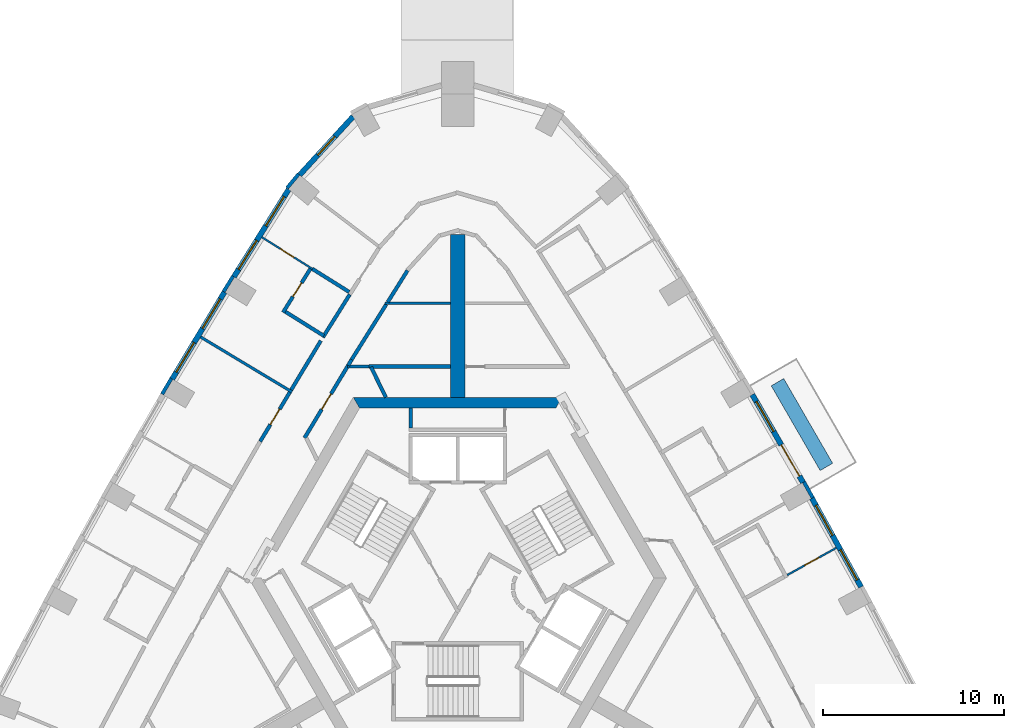
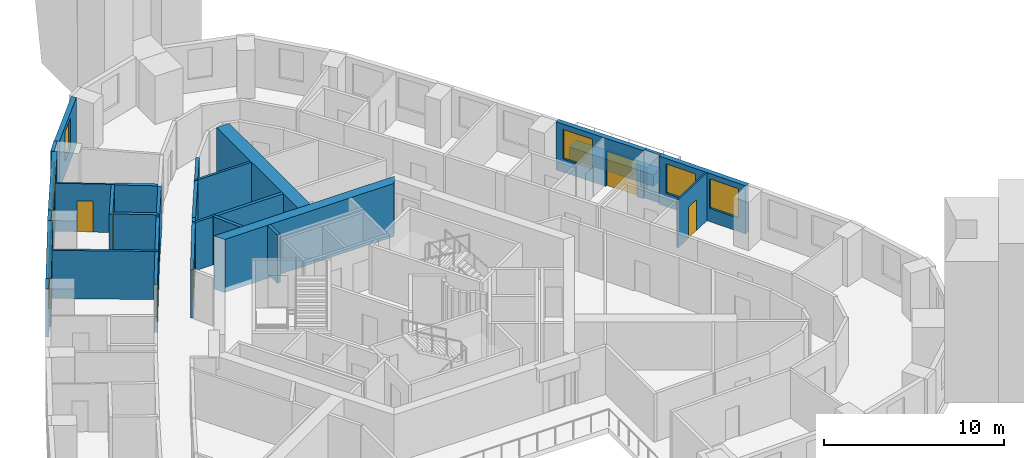
# One storey, part 8 of 13: 30 walls, 8 windows, 6 doors, 14 openings.
"""IFC4 building model written with IfcOpenShell, lengths in metres."""

from ifc_helpers import new_model, si_unit, direction, frame, frame_2d, origin, place, context, subcontext, project, spatial, polyline, rectangle, outline, extrude, material, layer, layer_set, type_object, element, fill, save


model = new_model("IFC4")

# Units and contexts
model_context = context("Model", 3, precision=1e-05, world=origin(), true_north=direction((0.0, 1.0)))
body_context = subcontext(model_context, "Body", "Model", "MODEL_VIEW")
ifc_project = project(units=[si_unit("LENGTHUNIT", "METRE"), si_unit("AREAUNIT", "SQUARE_METRE"), si_unit("VOLUMEUNIT", "CUBIC_METRE"), si_unit("PLANEANGLEUNIT", "RADIAN"), si_unit("MASSUNIT", "GRAM", prefix="KILO")], contexts=[model_context])

# Site, building, storey
site_placement = place(None, origin())
site = spatial("IfcSite", under=ifc_project, at=site_placement, CompositionType="ELEMENT")
building_placement = place(site_placement, origin())
building = spatial("IfcBuilding", under=site, at=building_placement, Name="Entoto Arch Interchange Tower", CompositionType="ELEMENT")
storey_placement = place(building_placement, frame((0.0, 0.0, 263.0)))
storey = spatial("IfcBuildingStorey", under=building, at=storey_placement, Name="L60", CompositionType="ELEMENT", Elevation=263.0)

# Walls
ifc_material_1 = material(Name="Concrete C40/50", Category="concrete")
ifc_layer_1 = layer(ifc_material_1, 0.800048828125)
ifc_layer_set_1 = layer_set([ifc_layer_1], Name="Concrete C40/50")
wall_type_1 = type_object("IfcWallType", Name="Buttress wall 800 C40/50", PredefinedType="SHEAR", material=ifc_layer_set_1)
wall_1_placement = place(storey_placement, frame((0.0, 12.5, -0.340087890625), z_axis=(0.0, 0.0, 1.0), x_axis=(0.0, 1.0, 0.0)))
element("IfcWall", 1, at=wall_1_placement, inside=storey, type_object=wall_type_1, Name="Buttress wall N L60", PredefinedType="SHEAR", context=body_context, shape_type="SweptSolid", body=[
    extrude(rectangle(XDim=9.0, YDim=0.800048828125, at=frame_2d((4.5, 0.0))), origin(), (0.0, 0.0, 1.0), 3.60009765625),
])
ifc_layer_2 = layer(ifc_material_1, 0.60009765625)
ifc_layer_set_2 = layer_set([ifc_layer_2], Name="Concrete C40/50")
wall_type_2 = type_object("IfcWallType", Name="Core wall 600 C40/50", PredefinedType="SHEAR", material=ifc_layer_set_2)
wall_2_placement = place(storey_placement, frame((0.0, 0.0, -0.340087890625)))
element("IfcWall", 2, at=wall_2_placement, inside=storey, type_object=wall_type_2, Name="Core wall N L60", PredefinedType="SHEAR", context=body_context, shape_type="SweptSolid", body=[
    extrude(outline(polyline([(5.77392578125, 12.5), (-5.77392578125, 12.5), (-5.427001953125, 11.89990234375), (5.427001953125, 11.89990234375), (5.77392578125, 12.5)])), origin(), (0.0, 0.0, 1.0), 3.60009765625),
])

# Wall, opening, door
ifc_material_2 = material(Name="Gypsum board partition on steel studs", Category="steel")
ifc_layer_3 = layer(ifc_material_2, 0.10009765625)
ifc_layer_set_3 = layer_set([ifc_layer_3], Name="Gypsum board partition on steel studs")
wall_type_3 = type_object("IfcWallType", Name="PARTITION 100", PredefinedType="PARTITIONING", material=ifc_layer_set_3)
wall_3_placement = place(storey_placement, frame((18.22802734375, 2.6708984375, 0.0), z_axis=(0.0, 0.0, 1.0), x_axis=(0.874895591854, 0.484311576729, 0.0)))
wall_3 = element("IfcWall", 3, at=wall_3_placement, inside=storey, type_object=wall_type_3, Name="wall:L60:p113", PredefinedType="PARTITIONING", context=body_context, shape_type="SweptSolid", body=[
    extrude(rectangle(XDim=3.099609375, YDim=0.10009765625, at=frame_2d((1.5498046875, 0.0))), origin(), (0.0, 0.0, 1.0), 3.260009765625),
])
opening_1_placement = place(wall_3_placement, frame((1.10009765625, 0.0, 0.0)))
opening_1 = element("IfcOpeningElement", 4, at=opening_1_placement, cuts=wall_3, Name="Opening L60-D02", PredefinedType="OPENING", context=body_context, shape_type="SweptSolid", body=[
    extrude(rectangle(XDim=0.89990234375, YDim=2.10009765625, at=frame_2d((0.449951171875, 1.050048828125))), frame((0.0, 0.06005859375, 0.0), z_axis=(0.0, -1.0, 0.0), x_axis=(1.0, 0.0, 0.0)), (0.0, 0.0, 1.0), 0.1201171875),
])
ifc_material_3 = material(Name="Timber door leaf in Steel S235 frame", Category="steel")
door_type_1 = type_object("IfcDoorType", Name="DOOR DS-09 900x2100", OperationType="SINGLE_SWING_LEFT", PredefinedType="DOOR", material=ifc_material_3)
door_1_placement = place(opening_1_placement, origin())
door_1 = element("IfcDoor", 5, at=door_1_placement, inside=storey, type_object=door_type_1, Name="door:L60:02", OperationType="SINGLE_SWING_RIGHT", OverallHeight=2.10009765625, OverallWidth=0.89990234375, PredefinedType="DOOR", context=body_context, shape_type="SweptSolid", body=[
    extrude(rectangle(XDim=0.89990234375, YDim=2.10009765625, at=frame_2d((0.449951171875, 1.050048828125))), frame((0.0, 0.02490234375, 0.0), z_axis=(0.0, -1.0, 0.0), x_axis=(1.0, 0.0, 0.0)), (0.0, 0.0, 1.0), 0.050048828125),
])
fill(opening_1, door_1)

wall_4_placement = place(storey_placement, frame((-8.029052734375, 19.597900390625, 0.0), z_axis=(0.0, 0.0, 1.0), x_axis=(-0.847216023371, 0.531248538581, 0.0)))
wall_4 = element("IfcWall", 6, at=wall_4_placement, inside=storey, type_object=wall_type_3, Name="wall:L60:p129", PredefinedType="PARTITIONING", context=body_context, shape_type="SweptSolid", body=[
    extrude(rectangle(XDim=3.300048828125, YDim=0.10009765625, at=frame_2d((1.64990234375, 0.0))), origin(), (0.0, 0.0, 1.0), 3.260009765625),
])
opening_2_placement = place(wall_4_placement, frame((1.199951171875, 0.0, 0.0)))
opening_2 = element("IfcOpeningElement", 7, at=opening_2_placement, cuts=wall_4, Name="Opening L60-D11", PredefinedType="OPENING", context=body_context, shape_type="SweptSolid", body=[
    extrude(rectangle(XDim=0.89990234375, YDim=2.10009765625, at=frame_2d((0.449951171875, 1.050048828125))), frame((0.0, 0.06005859375, 0.0), z_axis=(0.0, -1.0, 0.0), x_axis=(1.0, 0.0, 0.0)), (0.0, 0.0, 1.0), 0.1201171875),
])
door_2_placement = place(opening_2_placement, origin())
door_2 = element("IfcDoor", 8, at=door_2_placement, inside=storey, type_object=door_type_1, Name="door:L60:11", OperationType="SINGLE_SWING_RIGHT", OverallHeight=2.10009765625, OverallWidth=0.89990234375, PredefinedType="DOOR", context=body_context, shape_type="SweptSolid", body=[
    extrude(rectangle(XDim=0.89990234375, YDim=2.10009765625, at=frame_2d((0.449951171875, 1.050048828125))), frame((0.0, 0.02490234375, 0.0), z_axis=(0.0, -1.0, 0.0), x_axis=(1.0, 0.0, 0.0)), (0.0, 0.0, 1.0), 0.050048828125),
])
fill(opening_2, door_2)

# Walls
ifc_layer_4 = layer(ifc_material_2, 0.14990234375)
ifc_layer_set_4 = layer_set([ifc_layer_4], Name="Gypsum board partition on steel studs")
wall_type_4 = type_object("IfcWallType", Name="PARTITION 150", PredefinedType="PARTITIONING", material=ifc_layer_set_4)
wall_5_placement = place(storey_placement, frame((-4.904052734375, 14.199951171875, 0.0), z_axis=(0.0, 0.0, 1.0), x_axis=(-1.0, 0.0, 0.0)))
element("IfcWall", 9, at=wall_5_placement, inside=storey, type_object=wall_type_4, Name="wall:L60:p083", PredefinedType="PARTITIONING", context=body_context, shape_type="SweptSolid", body=[
    extrude(rectangle(XDim=1.18896484375, YDim=0.14990234375, at=frame_2d((0.594482421875, 0.0))), origin(), (0.0, 0.0, 1.0), 3.260009765625),
])
wall_6_placement = place(storey_placement, frame((-4.008056640625, 17.699951171875, 0.0), z_axis=(0.0, 0.0, 1.0), x_axis=(1.0, 0.0, 0.0)))
element("IfcWall", 10, at=wall_6_placement, inside=storey, type_object=wall_type_4, Name="wall:L60:p104", PredefinedType="PARTITIONING", context=body_context, shape_type="SweptSolid", body=[
    extrude(rectangle(XDim=3.608154296875, YDim=0.14990234375, at=frame_2d((1.80419921875, 0.0))), origin(), (0.0, 0.0, 1.0), 3.260009765625),
])
wall_7_placement = place(storey_placement, frame((-9.156982421875, 12.7919921875, 0.0), z_axis=(0.0, 0.0, 1.0), x_axis=(-0.856933793276, 0.515426497129, 0.0)))
element("IfcWall", 11, at=wall_7_placement, inside=storey, type_object=wall_type_4, Name="wall:L60:p133", PredefinedType="PARTITIONING", context=body_context, shape_type="SweptSolid", body=[
    extrude(rectangle(XDim=5.89990234375, YDim=0.14990234375, at=frame_2d((2.949951171875, 0.0))), origin(), (0.0, 0.0, 1.0), 3.260009765625),
])
ifc_layer_5 = layer(ifc_material_2, 0.199951171875)
ifc_layer_set_5 = layer_set([ifc_layer_5], Name="Gypsum board partition on steel studs")
wall_type_5 = type_object("IfcWallType", Name="PARTITION 200", PredefinedType="PARTITIONING", material=ifc_layer_set_5)
wall_8_placement = place(storey_placement, frame((-3.969970703125, 12.5, 0.0), z_axis=(0.0, 0.0, 1.0), x_axis=(-0.440355460167, 0.89782351757, 0.0)))
element("IfcWall", 12, at=wall_8_placement, inside=storey, type_object=wall_type_5, Name="wall:L60:p003", PredefinedType="PARTITIONING", context=body_context, shape_type="SweptSolid", body=[
    extrude(rectangle(XDim=1.868896484375, YDim=0.199951171875, at=frame_2d((0.9345703125, 0.0))), origin(), (0.0, 0.0, 1.0), 3.260009765625),
])

# Wall, opening, door
wall_9_placement = place(storey_placement, frame((-6.053955078125, 14.263916015625, 0.0), z_axis=(0.0, 0.0, 1.0), x_axis=(-0.515508653897, -0.856884372455, 0.0)))
wall_9 = element("IfcWall", 13, at=wall_9_placement, inside=storey, type_object=wall_type_5, Name="wall:L60:p004", PredefinedType="PARTITIONING", context=body_context, shape_type="SweptSolid", body=[
    extrude(rectangle(XDim=4.67724609375, YDim=0.199951171875, at=frame_2d((2.338623046875, 0.0))), origin(), (0.0, 0.0, 1.0), 3.260009765625),
])
opening_3_placement = place(wall_9_placement, frame((1.839111328125, 0.0, 0.0)))
opening_3 = element("IfcOpeningElement", 14, at=opening_3_placement, cuts=wall_9, Name="Opening L60-D33", PredefinedType="OPENING", context=body_context, shape_type="SweptSolid", body=[
    extrude(rectangle(XDim=1.0, YDim=2.10009765625, at=frame_2d((0.5, 1.050048828125))), frame((0.0, 0.10986328125, 0.0), z_axis=(0.0, -1.0, 0.0), x_axis=(1.0, 0.0, 0.0)), (0.0, 0.0, 1.0), 0.219970703125),
])
door_type_2 = type_object("IfcDoorType", Name="DOOR DS-10 1000x2100", OperationType="SINGLE_SWING_LEFT", PredefinedType="DOOR", material=ifc_material_3)
door_3_placement = place(opening_3_placement, origin())
door_3 = element("IfcDoor", 15, at=door_3_placement, inside=storey, type_object=door_type_2, Name="door:L60:33", OperationType="SINGLE_SWING_LEFT", OverallHeight=2.10009765625, OverallWidth=1.0, PredefinedType="DOOR", context=body_context, shape_type="SweptSolid", body=[
    extrude(rectangle(XDim=1.0, YDim=2.10009765625, at=frame_2d((0.5, 1.050048828125))), frame((0.0, 0.02490234375, 0.0), z_axis=(0.0, -1.0, 0.0), x_axis=(1.0, 0.0, 0.0)), (0.0, 0.0, 1.0), 0.050048828125),
])
fill(opening_3, door_3)

# Walls
wall_10_placement = place(storey_placement, frame((-4.904052734375, 14.199951171875, 0.0), z_axis=(0.0, 0.0, 1.0), x_axis=(1.0, 0.0, 0.0)))
element("IfcWall", 16, at=wall_10_placement, inside=storey, type_object=wall_type_5, Name="wall:L60:p009", PredefinedType="PARTITIONING", context=body_context, shape_type="SweptSolid", body=[
    extrude(rectangle(XDim=4.504150390625, YDim=0.199951171875, at=frame_2d((2.251953125, 0.0))), origin(), (0.0, 0.0, 1.0), 3.260009765625),
])
wall_11_placement = place(storey_placement, frame((-3.947998046875, 17.635986328125, 0.0), z_axis=(0.0, 0.0, 1.0), x_axis=(-0.531380509042, -0.847133256702, 0.0)))
element("IfcWall", 17, at=wall_11_placement, inside=storey, type_object=wall_type_5, Name="wall:L60:p012", PredefinedType="PARTITIONING", context=body_context, shape_type="SweptSolid", body=[
    extrude(rectangle(XDim=3.60400390625, YDim=0.199951171875, at=frame_2d((1.802001953125, 0.0))), origin(), (0.0, 0.0, 1.0), 3.260009765625),
])
wall_12_placement = place(storey_placement, frame((-5.863037109375, 14.5830078125, 0.0), z_axis=(0.0, 0.0, 1.0), x_axis=(-0.513433271491, -0.858129521533, 0.0)))
element("IfcWall", 18, at=wall_12_placement, inside=storey, type_object=wall_type_5, Name="wall:L60:p013", PredefinedType="PARTITIONING", context=body_context, shape_type="SweptSolid", body=[
    extrude(rectangle(XDim=0.371826171875, YDim=0.199951171875, at=frame_2d((0.18603515625, 0.0))), origin(), (0.0, 0.0, 1.0), 3.260009765625),
])
wall_13_placement = place(storey_placement, frame((-2.77294921875, 19.510986328125, 0.0), z_axis=(0.0, 0.0, 1.0), x_axis=(-0.531062870102, -0.847332418829, 0.0)))
element("IfcWall", 19, at=wall_13_placement, inside=storey, type_object=wall_type_5, Name="wall:L60:p019", PredefinedType="PARTITIONING", context=body_context, shape_type="SweptSolid", body=[
    extrude(rectangle(XDim=2.061767578125, YDim=0.199951171875, at=frame_2d((1.03076171875, 0.0))), origin(), (0.0, 0.0, 1.0), 3.260009765625),
])
wall_14_placement = place(storey_placement, frame((-9.2041015625, 12.907958984375, 0.0), z_axis=(0.0, 0.0, 1.0), x_axis=(0.51556943596, 0.856847802532, 0.0)))
element("IfcWall", 20, at=wall_14_placement, inside=storey, type_object=wall_type_5, Name="wall:L60:p058", PredefinedType="PARTITIONING", context=body_context, shape_type="SweptSolid", body=[
    extrude(rectangle(XDim=3.175537109375, YDim=0.199951171875, at=frame_2d((1.587890625, 0.0))), origin(), (0.0, 0.0, 1.0), 3.260009765625),
])
wall_15_placement = place(storey_placement, frame((-7.451904296875, 15.81298828125, 0.0), z_axis=(0.0, 0.0, 1.0), x_axis=(0.531095943551, 0.847311689252, 0.0)))
element("IfcWall", 21, at=wall_15_placement, inside=storey, type_object=wall_type_5, Name="wall:L60:p059", PredefinedType="PARTITIONING", context=body_context, shape_type="SweptSolid", body=[
    extrude(rectangle(XDim=2.799560546875, YDim=0.199951171875, at=frame_2d((1.39990234375, 0.0))), origin(), (0.0, 0.0, 1.0), 3.260009765625),
])

# Wall, opening, door
wall_16_placement = place(storey_placement, frame((-10.9189453125, 10.056884765625, 0.0), z_axis=(0.0, 0.0, 1.0), x_axis=(0.515568955032, 0.856848091908, 0.0)))
wall_16 = element("IfcWall", 22, at=wall_16_placement, inside=storey, type_object=wall_type_5, Name="wall:L60:p061", PredefinedType="PARTITIONING", context=body_context, shape_type="SweptSolid", body=[
    extrude(rectangle(XDim=3.177001953125, YDim=0.199951171875, at=frame_2d((1.58837890625, 0.0))), origin(), (0.0, 0.0, 1.0), 3.260009765625),
])
opening_4_placement = place(wall_16_placement, frame((1.087890625, 0.0, 0.0)))
opening_4 = element("IfcOpeningElement", 23, at=opening_4_placement, cuts=wall_16, Name="Opening L60-D13", PredefinedType="OPENING", context=body_context, shape_type="SweptSolid", body=[
    extrude(rectangle(XDim=1.0, YDim=2.10009765625, at=frame_2d((0.5, 1.050048828125))), frame((0.0, 0.10986328125, 0.0), z_axis=(0.0, -1.0, 0.0), x_axis=(1.0, 0.0, 0.0)), (0.0, 0.0, 1.0), 0.219970703125),
])
ifc_material_4 = material(Name="Fire-rated Steel S235 door and frame", Category="steel")
door_type_3 = type_object("IfcDoorType", Name="DOOR FD-10 1000x2100", OperationType="SINGLE_SWING_LEFT", PredefinedType="DOOR", material=ifc_material_4)
door_4_placement = place(opening_4_placement, origin())
door_4 = element("IfcDoor", 24, at=door_4_placement, inside=storey, type_object=door_type_3, Name="door:L60:13", OperationType="SINGLE_SWING_LEFT", OverallHeight=2.10009765625, OverallWidth=1.0, PredefinedType="DOOR", context=body_context, shape_type="SweptSolid", body=[
    extrude(rectangle(XDim=1.0, YDim=2.10009765625, at=frame_2d((0.5, 1.050048828125))), frame((0.0, 0.02490234375, 0.0), z_axis=(0.0, -1.0, 0.0), x_axis=(1.0, 0.0, 0.0)), (0.0, 0.0, 1.0), 0.050048828125),
])
fill(opening_4, door_4)

# Walls
wall_17_placement = place(storey_placement, frame((-2.60009765625, 10.800048828125, 0.0), z_axis=(0.0, 0.0, 1.0), x_axis=(0.0, 1.0, 0.0)))
element("IfcWall", 25, at=wall_17_placement, inside=storey, type_object=wall_type_5, Name="wall:L60:p072", PredefinedType="PARTITIONING", context=body_context, shape_type="SweptSolid", body=[
    extrude(rectangle(XDim=1.099853515625, YDim=0.199951171875, at=frame_2d((0.5498046875, 0.0))), origin(), (0.0, 0.0, 1.0), 3.260009765625),
])
wall_18_placement = place(storey_placement, frame((-5.99609375, 18.322998046875, 0.0), z_axis=(0.0, 0.0, 1.0), x_axis=(-0.847191403331, 0.531287799711, 0.0)))
element("IfcWall", 26, at=wall_18_placement, inside=storey, type_object=wall_type_5, Name="wall:L60:p130", PredefinedType="PARTITIONING", context=body_context, shape_type="SweptSolid", body=[
    extrude(rectangle(XDim=2.399658203125, YDim=0.199951171875, at=frame_2d((1.19970703125, 0.0))), origin(), (0.0, 0.0, 1.0), 3.260009765625),
])

# Wall, opening, door
wall_19_placement = place(storey_placement, frame((-8.087890625, 19.693115234375, 0.0), z_axis=(0.0, 0.0, 1.0), x_axis=(-0.531277961984, -0.847197572654, 0.0)))
wall_19 = element("IfcWall", 27, at=wall_19_placement, inside=storey, type_object=wall_type_5, Name="wall:L60:p131", PredefinedType="PARTITIONING", context=body_context, shape_type="SweptSolid", body=[
    extrude(rectangle(XDim=2.94970703125, YDim=0.199951171875, at=frame_2d((1.474853515625, 0.0))), origin(), (0.0, 0.0, 1.0), 3.260009765625),
])
opening_5_placement = place(wall_19_placement, frame((1.02490234375, 0.0, 0.0)))
opening_5 = element("IfcOpeningElement", 28, at=opening_5_placement, cuts=wall_19, Name="Opening L60-D12", PredefinedType="OPENING", context=body_context, shape_type="SweptSolid", body=[
    extrude(rectangle(XDim=0.89990234375, YDim=2.10009765625, at=frame_2d((0.449951171875, 1.050048828125))), frame((0.0, 0.10986328125, 0.0), z_axis=(0.0, -1.0, 0.0), x_axis=(1.0, 0.0, 0.0)), (0.0, 0.0, 1.0), 0.219970703125),
])
door_5_placement = place(opening_5_placement, origin())
door_5 = element("IfcDoor", 29, at=door_5_placement, inside=storey, type_object=door_type_1, Name="door:L60:12", OperationType="SINGLE_SWING_LEFT", OverallHeight=2.10009765625, OverallWidth=0.89990234375, PredefinedType="DOOR", context=body_context, shape_type="SweptSolid", body=[
    extrude(rectangle(XDim=0.89990234375, YDim=2.10009765625, at=frame_2d((0.449951171875, 1.050048828125))), frame((0.0, 0.02490234375, 0.0), z_axis=(0.0, -1.0, 0.0), x_axis=(1.0, 0.0, 0.0)), (0.0, 0.0, 1.0), 0.050048828125),
])
fill(opening_5, door_5)

# Walls
wall_20_placement = place(storey_placement, frame((-9.51708984375, 17.22607421875, 0.0), z_axis=(0.0, 0.0, 1.0), x_axis=(0.847229363594, -0.53122726348, 0.0)))
element("IfcWall", 30, at=wall_20_placement, inside=storey, type_object=wall_type_5, Name="wall:L60:p132", PredefinedType="PARTITIONING", context=body_context, shape_type="SweptSolid", body=[
    extrude(rectangle(XDim=2.5, YDim=0.199951171875, at=frame_2d((1.25, 0.0))), origin(), (0.0, 0.0, 1.0), 3.260009765625),
])
ifc_material_5 = material(Name="Board-marked precast concrete C50/60", Category="concrete")
ifc_layer_6 = layer(ifc_material_5, 0.800048828125)
ifc_layer_set_6 = layer_set([ifc_layer_6], Name="Board-marked precast concrete C50/60")
wall_type_6 = type_object("IfcWallType", Name="PLANTER RC 800 Juniperus procera", PredefinedType="STANDARD", material=ifc_layer_set_6)
wall_21_placement = place(storey_placement, frame((20.39208984375, 8.64892578125, 0.0), z_axis=(0.0, 0.0, 1.0), x_axis=(-0.500079142514, 0.865979706011, 0.0)))
element("IfcWall", 31, at=wall_21_placement, inside=storey, type_object=wall_type_6, Name="Planter NE-03 L60", PredefinedType="STANDARD", context=body_context, shape_type="SweptSolid", body=[
    extrude(rectangle(XDim=5.4111328125, YDim=0.800048828125, at=frame_2d((2.70556640625, 0.0))), origin(), (0.0, 0.0, 1.0), 0.800048828125),
])

# Wall, openings, windows
ifc_material_6 = material(Name="Welded tuff (ignimbrite) cladding, warm buff", Category="masonry")
ifc_layer_7 = layer(ifc_material_6, 0.300048828125)
ifc_layer_set_7 = layer_set([ifc_layer_7], Name="Welded tuff (ignimbrite) cladding, warm buff")
wall_type_7 = type_object("IfcWallType", Name="STONE INFILL WALL 300", PredefinedType="STANDARD", material=ifc_layer_set_7)
wall_22_placement = place(storey_placement, frame((22.30810546875, 2.010009765625, 0.0), z_axis=(0.0, 0.0, 1.0), x_axis=(-0.484260568952, 0.874923826032, 0.0)))
wall_22 = element("IfcWall", 32, at=wall_22_placement, inside=storey, type_object=wall_type_7, Name="Facade wall NE-02 L60", PredefinedType="STANDARD", context=body_context, shape_type="SweptSolid", body=[
    extrude(rectangle(XDim=5.610595703125, YDim=0.300048828125, at=frame_2d((2.80517578125, 0.0))), origin(), (0.0, 0.0, 1.0), 3.260009765625),
])
opening_6_placement = place(wall_22_placement, frame((0.452880859375, 0.0, 0.89990234375)))
opening_6 = element("IfcOpeningElement", 33, at=opening_6_placement, cuts=wall_22, Name="Opening WH-C", PredefinedType="OPENING", context=body_context, shape_type="SweptSolid", body=[
    extrude(rectangle(XDim=1.89990234375, YDim=2.0, at=frame_2d((0.949951171875, 1.0))), frame((0.0, 0.16015625, 0.0), z_axis=(0.0, -1.0, 0.0), x_axis=(1.0, 0.0, 0.0)), (0.0, 0.0, 1.0), 0.320068359375),
])
opening_7_placement = place(wall_22_placement, frame((3.258056640625, 0.0, 0.89990234375)))
opening_7 = element("IfcOpeningElement", 34, at=opening_7_placement, cuts=wall_22, Name="Opening WH-C", PredefinedType="OPENING", context=body_context, shape_type="SweptSolid", body=[
    extrude(rectangle(XDim=1.89990234375, YDim=2.0, at=frame_2d((0.949951171875, 1.0))), frame((0.0, 0.16015625, 0.0), z_axis=(0.0, -1.0, 0.0), x_axis=(1.0, 0.0, 0.0)), (0.0, 0.0, 1.0), 0.320068359375),
])
ifc_material_7 = material(Name="Clear glass, low-e double glazed", Category="glass")
window_type_1 = type_object("IfcWindowType", Name="WINDOW WH-C 1900x2000", PartitioningType="DOUBLE_PANEL_VERTICAL", PredefinedType="WINDOW", material=ifc_material_7)
window_1_placement = place(opening_6_placement, origin())
window_1 = element("IfcWindow", 35, at=window_1_placement, inside=storey, type_object=window_type_1, Name="Window WH-C NE-02 L60", OverallHeight=2.0, OverallWidth=1.89990234375, PartitioningType="SINGLE_PANEL", PredefinedType="WINDOW", context=body_context, shape_type="SweptSolid", body=[
    extrude(rectangle(XDim=1.89990234375, YDim=2.0, at=frame_2d((0.949951171875, 1.0))), frame((0.0, 0.030029296875, 0.0), z_axis=(0.0, -1.0, 0.0), x_axis=(1.0, 0.0, 0.0)), (0.0, 0.0, 1.0), 0.06005859375),
])
fill(opening_6, window_1)
window_2_placement = place(opening_7_placement, origin())
window_2 = element("IfcWindow", 36, at=window_2_placement, inside=storey, type_object=window_type_1, Name="Window WH-C NE-02 L60", OverallHeight=2.0, OverallWidth=1.89990234375, PartitioningType="SINGLE_PANEL", PredefinedType="WINDOW", context=body_context, shape_type="SweptSolid", body=[
    extrude(rectangle(XDim=1.89990234375, YDim=2.0, at=frame_2d((0.949951171875, 1.0))), frame((0.0, 0.030029296875, 0.0), z_axis=(0.0, -1.0, 0.0), x_axis=(1.0, 0.0, 0.0)), (0.0, 0.0, 1.0), 0.06005859375),
])
fill(opening_7, window_2)

# Wall, openings, door, window
wall_23_placement = place(storey_placement, frame((19.10009765625, 7.787109375, 0.0), z_axis=(0.0, 0.0, 1.0), x_axis=(-0.500041292042, 0.866001562501, 0.0)))
wall_23 = element("IfcWall", 37, at=wall_23_placement, inside=storey, type_object=wall_type_7, Name="Facade wall NE-03 L60", PredefinedType="STANDARD", context=body_context, shape_type="SweptSolid", body=[
    extrude(rectangle(XDim=5.61181640625, YDim=0.300048828125, at=frame_2d((2.805908203125, 0.0))), origin(), (0.0, 0.0, 1.0), 3.260009765625),
])
opening_8_placement = place(wall_23_placement, frame((0.403076171875, 0.0, 0.0)))
opening_8 = element("IfcOpeningElement", 38, at=opening_8_placement, cuts=wall_23, Name="Opening DB-NE-03-L60", PredefinedType="OPENING", context=body_context, shape_type="SweptSolid", body=[
    extrude(rectangle(XDim=2.0, YDim=2.39990234375, at=frame_2d((1.0, 1.199951171875))), frame((0.0, 0.16015625, 0.0), z_axis=(0.0, -1.0, 0.0), x_axis=(1.0, 0.0, 0.0)), (0.0, 0.0, 1.0), 0.320068359375),
])
opening_9_placement = place(wall_23_placement, frame((3.259033203125, 0.0, 0.89990234375)))
opening_9 = element("IfcOpeningElement", 39, at=opening_9_placement, cuts=wall_23, Name="Opening WH-C", PredefinedType="OPENING", context=body_context, shape_type="SweptSolid", body=[
    extrude(rectangle(XDim=1.89990234375, YDim=2.0, at=frame_2d((0.949951171875, 1.0))), frame((0.0, 0.16015625, 0.0), z_axis=(0.0, -1.0, 0.0), x_axis=(1.0, 0.0, 0.0)), (0.0, 0.0, 1.0), 0.320068359375),
])
ifc_material_8 = material(Name="Aluminium and clear glass, anodised", Category="aluminium")
door_type_4 = type_object("IfcDoorType", Name="BALCONY DOOR DB 2000x2400", OperationType="SLIDING_TO_LEFT", PredefinedType="DOOR", material=ifc_material_8)
door_6_placement = place(opening_8_placement, origin())
door_6 = element("IfcDoor", 40, at=door_6_placement, inside=storey, type_object=door_type_4, Name="Balcony door NE-03 L60", OperationType="SLIDING_TO_LEFT", OverallHeight=2.39990234375, OverallWidth=2.0, PredefinedType="DOOR", context=body_context, shape_type="SweptSolid", body=[
    extrude(rectangle(XDim=2.0, YDim=2.39990234375, at=frame_2d((1.0, 1.199951171875))), frame((0.0, 0.02490234375, 0.0), z_axis=(0.0, -1.0, 0.0), x_axis=(1.0, 0.0, 0.0)), (0.0, 0.0, 1.0), 0.050048828125),
])
fill(opening_8, door_6)
window_3_placement = place(opening_9_placement, origin())
window_3 = element("IfcWindow", 41, at=window_3_placement, inside=storey, type_object=window_type_1, Name="Window WH-C NE-03 L60", OverallHeight=2.0, OverallWidth=1.89990234375, PartitioningType="SINGLE_PANEL", PredefinedType="WINDOW", context=body_context, shape_type="SweptSolid", body=[
    extrude(rectangle(XDim=1.89990234375, YDim=2.0, at=frame_2d((0.949951171875, 1.0))), frame((0.0, 0.030029296875, 0.0), z_axis=(0.0, -1.0, 0.0), x_axis=(1.0, 0.0, 0.0)), (0.0, 0.0, 1.0), 0.06005859375),
])
fill(opening_9, window_3)

# Wall, opening, window
wall_24_placement = place(storey_placement, frame((-5.781982421875, 28.02490234375, 0.0), z_axis=(0.0, 0.0, 1.0), x_axis=(-0.675143863554, -0.737686087374, 0.0)))
wall_24 = element("IfcWall", 42, at=wall_24_placement, inside=storey, type_object=wall_type_7, Name="Facade wall N-04 L60", PredefinedType="STANDARD", context=body_context, shape_type="SweptSolid", body=[
    extrude(rectangle(XDim=4.3798828125, YDim=0.300048828125, at=frame_2d((2.18994140625, 0.0))), origin(), (0.0, 0.0, 1.0), 3.260009765625),
])
opening_10_placement = place(wall_24_placement, frame((1.489990234375, 0.0, 0.89990234375)))
opening_10 = element("IfcOpeningElement", 43, at=opening_10_placement, cuts=wall_24, Name="Opening WH-B", PredefinedType="OPENING", context=body_context, shape_type="SweptSolid", body=[
    extrude(rectangle(XDim=1.39990234375, YDim=2.0, at=frame_2d((0.699951171875, 1.0))), frame((0.0, 0.16015625, 0.0), z_axis=(0.0, -1.0, 0.0), x_axis=(1.0, 0.0, 0.0)), (0.0, 0.0, 1.0), 0.320068359375),
])
window_type_2 = type_object("IfcWindowType", Name="WINDOW WH-B 1400x2000", PartitioningType="DOUBLE_PANEL_VERTICAL", PredefinedType="WINDOW", material=ifc_material_7)
window_4_placement = place(opening_10_placement, origin())
window_4 = element("IfcWindow", 44, at=window_4_placement, inside=storey, type_object=window_type_2, Name="Window WH-B N-04 L60", OverallHeight=2.0, OverallWidth=1.39990234375, PartitioningType="SINGLE_PANEL", PredefinedType="WINDOW", context=body_context, shape_type="SweptSolid", body=[
    extrude(rectangle(XDim=1.39990234375, YDim=2.0, at=frame_2d((0.699951171875, 1.0))), frame((0.0, 0.030029296875, 0.0), z_axis=(0.0, -1.0, 0.0), x_axis=(1.0, 0.0, 0.0)), (0.0, 0.0, 1.0), 0.06005859375),
])
fill(opening_10, window_4)

# Wall, openings, windows
wall_25_placement = place(storey_placement, frame((-9.343017578125, 23.998046875, 0.0), z_axis=(0.0, 0.0, 1.0), x_axis=(-0.531137483242, -0.847285650708, 0.0)))
wall_25 = element("IfcWall", 45, at=wall_25_placement, inside=storey, type_object=wall_type_7, Name="Facade wall NW-01 L60", PredefinedType="STANDARD", context=body_context, shape_type="SweptSolid", body=[
    extrude(rectangle(XDim=5.702880859375, YDim=0.300048828125, at=frame_2d((2.8515625, 0.0))), origin(), (0.0, 0.0, 1.0), 3.260009765625),
])
opening_11_placement = place(wall_25_placement, frame((0.47607421875, 0.0, 0.89990234375)))
opening_11 = element("IfcOpeningElement", 46, at=opening_11_placement, cuts=wall_25, Name="Opening WH-C", PredefinedType="OPENING", context=body_context, shape_type="SweptSolid", body=[
    extrude(rectangle(XDim=1.89990234375, YDim=2.0, at=frame_2d((0.949951171875, 1.0))), frame((0.0, 0.16015625, 0.0), z_axis=(0.0, -1.0, 0.0), x_axis=(1.0, 0.0, 0.0)), (0.0, 0.0, 1.0), 0.320068359375),
])
opening_12_placement = place(wall_25_placement, frame((3.326904296875, 0.0, 0.89990234375)))
opening_12 = element("IfcOpeningElement", 47, at=opening_12_placement, cuts=wall_25, Name="Opening WH-C", PredefinedType="OPENING", context=body_context, shape_type="SweptSolid", body=[
    extrude(rectangle(XDim=1.89990234375, YDim=2.0, at=frame_2d((0.949951171875, 1.0))), frame((0.0, 0.16015625, 0.0), z_axis=(0.0, -1.0, 0.0), x_axis=(1.0, 0.0, 0.0)), (0.0, 0.0, 1.0), 0.320068359375),
])
window_5_placement = place(opening_11_placement, origin())
window_5 = element("IfcWindow", 48, at=window_5_placement, inside=storey, type_object=window_type_1, Name="Window WH-C NW-01 L60", OverallHeight=2.0, OverallWidth=1.89990234375, PartitioningType="SINGLE_PANEL", PredefinedType="WINDOW", context=body_context, shape_type="SweptSolid", body=[
    extrude(rectangle(XDim=1.89990234375, YDim=2.0, at=frame_2d((0.949951171875, 1.0))), frame((0.0, 0.030029296875, 0.0), z_axis=(0.0, -1.0, 0.0), x_axis=(1.0, 0.0, 0.0)), (0.0, 0.0, 1.0), 0.06005859375),
])
fill(opening_11, window_5)
window_6_placement = place(opening_12_placement, origin())
window_6 = element("IfcWindow", 49, at=window_6_placement, inside=storey, type_object=window_type_1, Name="Window WH-C NW-01 L60", OverallHeight=2.0, OverallWidth=1.89990234375, PartitioningType="SINGLE_PANEL", PredefinedType="WINDOW", context=body_context, shape_type="SweptSolid", body=[
    extrude(rectangle(XDim=1.89990234375, YDim=2.0, at=frame_2d((0.949951171875, 1.0))), frame((0.0, 0.030029296875, 0.0), z_axis=(0.0, -1.0, 0.0), x_axis=(1.0, 0.0, 0.0)), (0.0, 0.0, 1.0), 0.06005859375),
])
fill(opening_12, window_6)

wall_26_placement = place(storey_placement, frame((-12.89501953125, 18.31591796875, 0.0), z_axis=(0.0, 0.0, 1.0), x_axis=(-0.515435742129, -0.856928232547, 0.0)))
wall_26 = element("IfcWall", 50, at=wall_26_placement, inside=storey, type_object=wall_type_7, Name="Facade wall NW-02 L60", PredefinedType="STANDARD", context=body_context, shape_type="SweptSolid", body=[
    extrude(rectangle(XDim=5.61279296875, YDim=0.300048828125, at=frame_2d((2.806396484375, 0.0))), origin(), (0.0, 0.0, 1.0), 3.260009765625),
])
opening_13_placement = place(wall_26_placement, frame((0.452880859375, 0.0, 0.89990234375)))
opening_13 = element("IfcOpeningElement", 51, at=opening_13_placement, cuts=wall_26, Name="Opening WH-C", PredefinedType="OPENING", context=body_context, shape_type="SweptSolid", body=[
    extrude(rectangle(XDim=1.89990234375, YDim=2.0, at=frame_2d((0.949951171875, 1.0))), frame((0.0, 0.16015625, 0.0), z_axis=(0.0, -1.0, 0.0), x_axis=(1.0, 0.0, 0.0)), (0.0, 0.0, 1.0), 0.320068359375),
])
opening_14_placement = place(wall_26_placement, frame((3.260009765625, 0.0, 0.89990234375)))
opening_14 = element("IfcOpeningElement", 52, at=opening_14_placement, cuts=wall_26, Name="Opening WH-C", PredefinedType="OPENING", context=body_context, shape_type="SweptSolid", body=[
    extrude(rectangle(XDim=1.89990234375, YDim=2.0, at=frame_2d((0.949951171875, 1.0))), frame((0.0, 0.16015625, 0.0), z_axis=(0.0, -1.0, 0.0), x_axis=(1.0, 0.0, 0.0)), (0.0, 0.0, 1.0), 0.320068359375),
])
window_7_placement = place(opening_13_placement, origin())
window_7 = element("IfcWindow", 53, at=window_7_placement, inside=storey, type_object=window_type_1, Name="Window WH-C NW-02 L60", OverallHeight=2.0, OverallWidth=1.89990234375, PartitioningType="SINGLE_PANEL", PredefinedType="WINDOW", context=body_context, shape_type="SweptSolid", body=[
    extrude(rectangle(XDim=1.89990234375, YDim=2.0, at=frame_2d((0.949951171875, 1.0))), frame((0.0, 0.030029296875, 0.0), z_axis=(0.0, -1.0, 0.0), x_axis=(1.0, 0.0, 0.0)), (0.0, 0.0, 1.0), 0.06005859375),
])
fill(opening_13, window_7)
window_8_placement = place(opening_14_placement, origin())
window_8 = element("IfcWindow", 54, at=window_8_placement, inside=storey, type_object=window_type_1, Name="Window WH-C NW-02 L60", OverallHeight=2.0, OverallWidth=1.89990234375, PartitioningType="SINGLE_PANEL", PredefinedType="WINDOW", context=body_context, shape_type="SweptSolid", body=[
    extrude(rectangle(XDim=1.89990234375, YDim=2.0, at=frame_2d((0.949951171875, 1.0))), frame((0.0, 0.030029296875, 0.0), z_axis=(0.0, -1.0, 0.0), x_axis=(1.0, 0.0, 0.0)), (0.0, 0.0, 1.0), 0.06005859375),
])
fill(opening_14, window_8)

# Walls
ifc_layer_8 = layer(ifc_material_6, 0.199951171875)
ifc_layer_set_8 = layer_set([ifc_layer_8], Name="Welded tuff (ignimbrite) cladding, warm buff")
wall_type_8 = type_object("IfcWallType", Name="STONE PIER CLADDING 200", PredefinedType="STANDARD", material=ifc_layer_set_8)
wall_27_placement = place(storey_placement, frame((19.638916015625, 6.944091796875, 0.0), z_axis=(0.0, 0.0, 1.0), x_axis=(-0.491848119507, 0.870681013539, 0.0)))
element("IfcWall", 55, at=wall_27_placement, inside=storey, type_object=wall_type_8, Name="Stone pier NE03 L60", PredefinedType="STANDARD", context=body_context, shape_type="SweptSolid", body=[
    extrude(rectangle(XDim=1.000244140625, YDim=0.199951171875, at=frame_2d((0.5, 0.0))), origin(), (0.0, 0.0, 1.0), 3.260009765625),
])
wall_28_placement = place(storey_placement, frame((-8.7958984375, 24.842041015625, 0.0), z_axis=(0.0, 0.0, 1.0), x_axis=(-0.638117112481, -0.769939316283, 0.0)))
element("IfcWall", 56, at=wall_28_placement, inside=storey, type_object=wall_type_8, Name="Stone pier NW01 L60", PredefinedType="STANDARD", context=body_context, shape_type="SweptSolid", body=[
    extrude(rectangle(XDim=1.0, YDim=0.199951171875, at=frame_2d((0.5, 0.0))), origin(), (0.0, 0.0, 1.0), 3.260009765625),
])
wall_29_placement = place(storey_placement, frame((-12.4169921875, 19.195068359375, 0.0), z_axis=(0.0, 0.0, 1.0), x_axis=(-0.525825307325, -0.850592585306, 0.0)))
element("IfcWall", 57, at=wall_29_placement, inside=storey, type_object=wall_type_8, Name="Stone pier NW02 L60", PredefinedType="STANDARD", context=body_context, shape_type="SweptSolid", body=[
    extrude(rectangle(XDim=1.00048828125, YDim=0.199951171875, at=frame_2d((0.500244140625, 0.0))), origin(), (0.0, 0.0, 1.0), 3.260009765625),
])
wall_30_placement = place(storey_placement, frame((-15.833984375, 13.534912109375, 0.0), z_axis=(0.0, 0.0, 1.0), x_axis=(-0.508268432768, -0.861198699634, 0.0)))
element("IfcWall", 58, at=wall_30_placement, inside=storey, type_object=wall_type_8, Name="Stone pier NW03 L60", PredefinedType="STANDARD", context=body_context, shape_type="SweptSolid", body=[
    extrude(rectangle(XDim=0.99951171875, YDim=0.199951171875, at=frame_2d((0.499755859375, 0.0))), origin(), (0.0, 0.0, 1.0), 3.260009765625),
])

save(model, "model.ifc")
